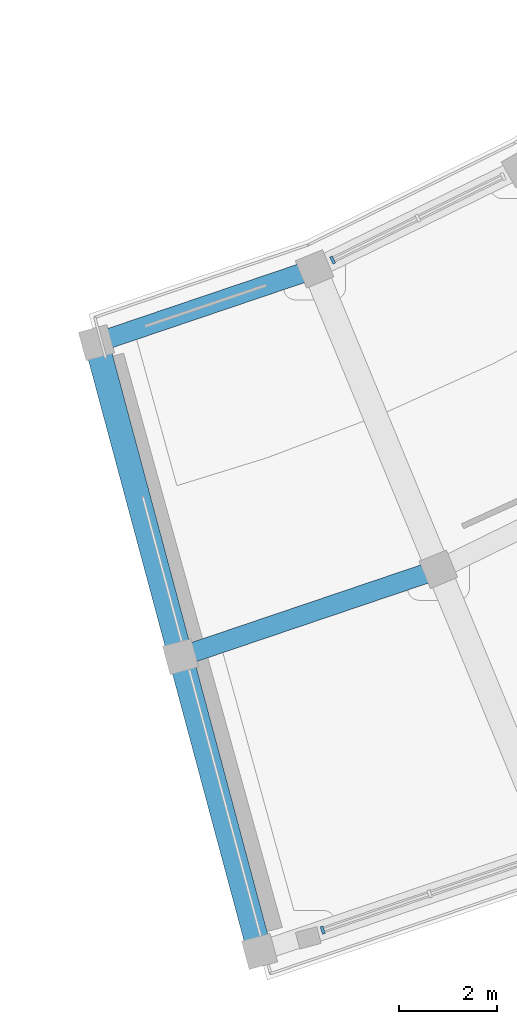
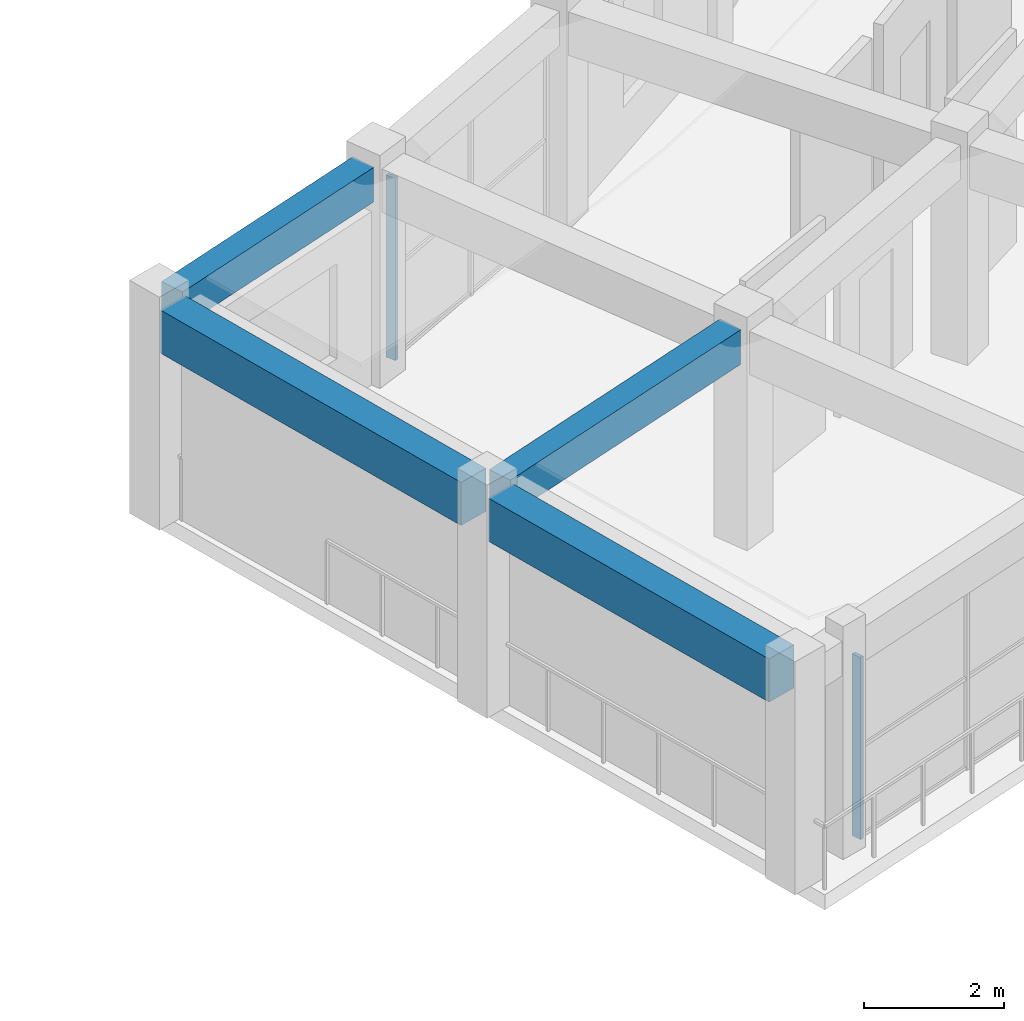
# One storey, part 15 of 70: 4 beams, 2 members, 2 elements without a shape of their own.
"""IFC4 building model written with IfcOpenShell, lengths in metres."""

from ifc_helpers import new_model, si_unit, direction, frame, origin, origin_2d, place, context, subcontext, project, spatial, rectangle, extrude, material, material_profile, profile_set, type_object, element, aggregate, save


model = new_model("IFC4")

# Units and contexts
model_context = context("Model", 3, precision=1e-05, world=origin(), true_north=direction((0.0, 1.0)))
body_context = subcontext(model_context, "Body", "Model", "MODEL_VIEW")
ifc_project = project(units=[si_unit("LENGTHUNIT", "METRE"), si_unit("AREAUNIT", "SQUARE_METRE"), si_unit("VOLUMEUNIT", "CUBIC_METRE"), si_unit("PLANEANGLEUNIT", "RADIAN"), si_unit("MASSUNIT", "GRAM", prefix="KILO")], contexts=[model_context])

# Site, building, storey
site_placement = place(None, origin())
site = spatial("IfcSite", under=ifc_project, at=site_placement, CompositionType="ELEMENT")
building_placement = place(site_placement, origin())
building = spatial("IfcBuilding", under=site, at=building_placement, Name="Saryqyr Civic Hall", CompositionType="ELEMENT")
storey_placement = place(building_placement, frame((0.0, 0.0, 13.199951171875)))
storey = spatial("IfcBuildingStorey", under=building, at=storey_placement, Name="L03", CompositionType="ELEMENT", Elevation=13.199951171875)

# Curtain wall, member
ifc_material_1 = material(Name="Anodised aluminium and triple low-E glass", Category="aluminium")
curtain_wall_type_1 = type_object("IfcCurtainWallType", Name="ENV-CW-STD-30", PredefinedType="NOTDEFINED", material=ifc_material_1)
curtain_wall_1_placement = place(storey_placement, origin())
curtain_wall_1 = element("IfcCurtainWall", 1, at=curtain_wall_1_placement, inside=storey, type_object=curtain_wall_type_1, Name="Curtain wall V5-CWO-L03-00", PredefinedType="NOTDEFINED")
ifc_material_2 = material(Name="Anodised aluminium", Category="aluminium")
ifc_material_profile_1 = material_profile(ifc_material_2, rectangle(XDim=0.06005859375, YDim=0.159912109375, at=origin_2d()), Name="ALU MULLION 60x160")
ifc_profile_set_1 = profile_set([ifc_material_profile_1], Name="Anodised aluminium")
member_type = type_object("IfcMemberType", Name="ENV-CW-MUL-180", PredefinedType="MULLION", material=ifc_profile_set_1)
member_1_placement = place(storey_placement, frame((70.964111328125, 37.103515625, 0.0), z_axis=(0.0, 0.0, 1.0), x_axis=(-0.947196460204, -0.320653809858, 0.0)))
member_1 = element("IfcMember", 2, at=member_1_placement, type_object=member_type, Name="CW-30 mullion 3", PredefinedType="MULLION", context=body_context, shape_type="SweptSolid", body=[
    extrude(rectangle(XDim=0.06005859375, YDim=0.159912109375, at=origin_2d()), origin(), (0.0, 0.0, 1.0), 3.1650390625),
])
aggregate(curtain_wall_1, [member_1])

curtain_wall_type_2 = type_object("IfcCurtainWallType", Name="ENV-CW-STD-25", PredefinedType="NOTDEFINED", material=ifc_material_1)
curtain_wall_2_placement = place(storey_placement, origin())
curtain_wall_2 = element("IfcCurtainWall", 3, at=curtain_wall_2_placement, inside=storey, type_object=curtain_wall_type_2, Name="Curtain wall V5-CWI-L03-01", PredefinedType="NOTDEFINED")
member_2_placement = place(storey_placement, frame((71.16455078125, 50.71240234375, 0.0), z_axis=(0.0, 0.0, 1.0), x_axis=(0.897961859945, 0.440073287175, 0.0)))
member_2 = element("IfcMember", 4, at=member_2_placement, type_object=member_type, Name="CW-25 mullion 1", PredefinedType="MULLION", context=body_context, shape_type="SweptSolid", body=[
    extrude(rectangle(XDim=0.06005859375, YDim=0.159912109375, at=origin_2d()), origin(), (0.0, 0.0, 1.0), 3.1650390625),
])
aggregate(curtain_wall_2, [member_2])

# Beams
ifc_material_3 = material(Name="Concrete C35/45", Category="concrete")
ifc_material_profile_2 = material_profile(ifc_material_3, rectangle(XDim=0.39990234375, YDim=0.60009765625, at=origin_2d()), Name="RC 400x600")
ifc_profile_set_2 = profile_set([ifc_material_profile_2], Name="Concrete C35/45")
beam_type_1 = type_object("IfcBeamType", Name="STR-BM-RC400x600", PredefinedType="BEAM", material=ifc_profile_set_2)
beam_1_placement = place(storey_placement, frame((68.337890625, 42.74658203125, 3.489990234375), z_axis=(0.947191677807, 0.32066793649, 0.0), x_axis=(-0.32066793649, 0.947191677807, 0.0)))
element("IfcBeam", 5, at=beam_1_placement, inside=storey, type_object=beam_type_1, Name="Beam V5-CBM-MID00-L03", PredefinedType="BEAM", context=body_context, shape_type="SweptSolid", body=[
    extrude(rectangle(XDim=0.39990234375, YDim=0.60009765625, at=origin_2d()), origin(), (0.0, 0.0, 1.0), 4.977783203125),
])
ifc_material_profile_3 = material_profile(ifc_material_3, rectangle(XDim=0.39990234375, YDim=0.60009765625, at=origin_2d()), Name="RC 400x600")
ifc_profile_set_3 = profile_set([ifc_material_profile_3], Name="Concrete C35/45")
beam_type_2 = type_object("IfcBeamType", Name="STR-BM-RC400x600-EXT", PredefinedType="BEAM", material=ifc_profile_set_3)
beam_2_placement = place(storey_placement, frame((66.629638671875, 49.12158203125, 3.489990234375), z_axis=(0.947199378893, 0.320645188057, 0.0), x_axis=(-0.320645188057, 0.947199378893, 0.0)))
element("IfcBeam", 6, at=beam_2_placement, inside=storey, type_object=beam_type_2, Name="Beam V5-CBM-IN00-L03", PredefinedType="BEAM", context=body_context, shape_type="SweptSolid", body=[
    extrude(rectangle(XDim=0.39990234375, YDim=0.60009765625, at=origin_2d()), origin(), (0.0, 0.0, 1.0), 4.125244140625),
])
ifc_material_4 = material(Name="Concrete C40/50", Category="concrete")
ifc_material_profile_4 = material_profile(ifc_material_4, rectangle(XDim=0.5, YDim=0.75, at=origin_2d()), Name="RC 500x750")
ifc_profile_set_4 = profile_set([ifc_material_profile_4], Name="Concrete C40/50")
beam_type_3 = type_object("IfcBeamType", Name="STR-BM-RC500x750", PredefinedType="BEAM", material=ifc_profile_set_4)
beam_3_placement = place(storey_placement, frame((66.4404296875, 48.767822265625, 3.4150390625), z_axis=(0.258832905588, -0.965922112277, 0.0), x_axis=(0.965922112277, 0.258832905588, 0.0)))
element("IfcBeam", 7, at=beam_3_placement, inside=storey, type_object=beam_type_3, Name="Beam V5-RBM-A00-L03", PredefinedType="BEAM", context=body_context, shape_type="SweptSolid", body=[
    extrude(rectangle(XDim=0.5, YDim=0.75, at=origin_2d()), origin(), (0.0, 0.0, 1.0), 6.0498046875),
])
beam_4_placement = place(storey_placement, frame((68.148681640625, 42.392822265625, 3.4150390625), z_axis=(0.25878936227, -0.965933779291, 0.0), x_axis=(0.965933779291, 0.25878936227, 0.0)))
element("IfcBeam", 8, at=beam_4_placement, inside=storey, type_object=beam_type_3, Name="Beam V5-RBM-B00-L03", PredefinedType="BEAM", context=body_context, shape_type="SweptSolid", body=[
    extrude(rectangle(XDim=0.5, YDim=0.75, at=origin_2d()), origin(), (0.0, 0.0, 1.0), 5.64990234375),
])

save(model, "model.ifc")
